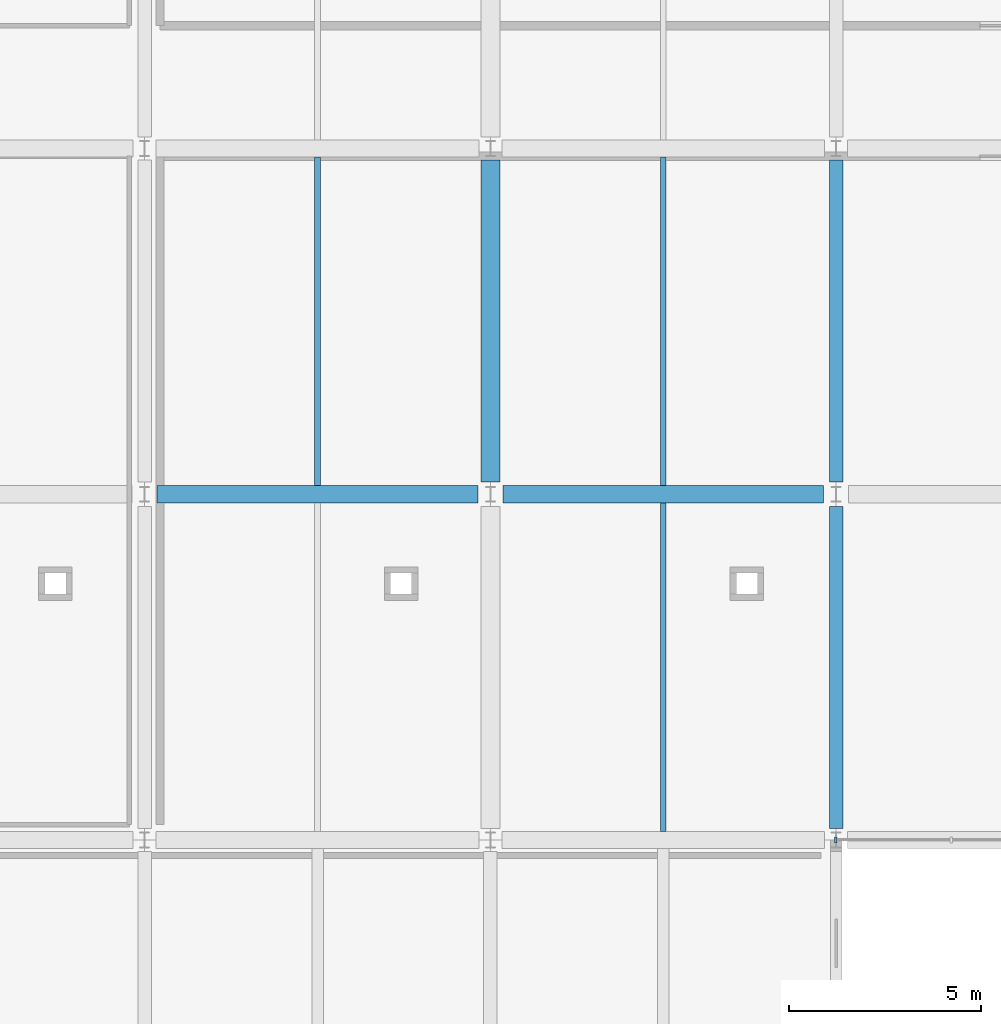
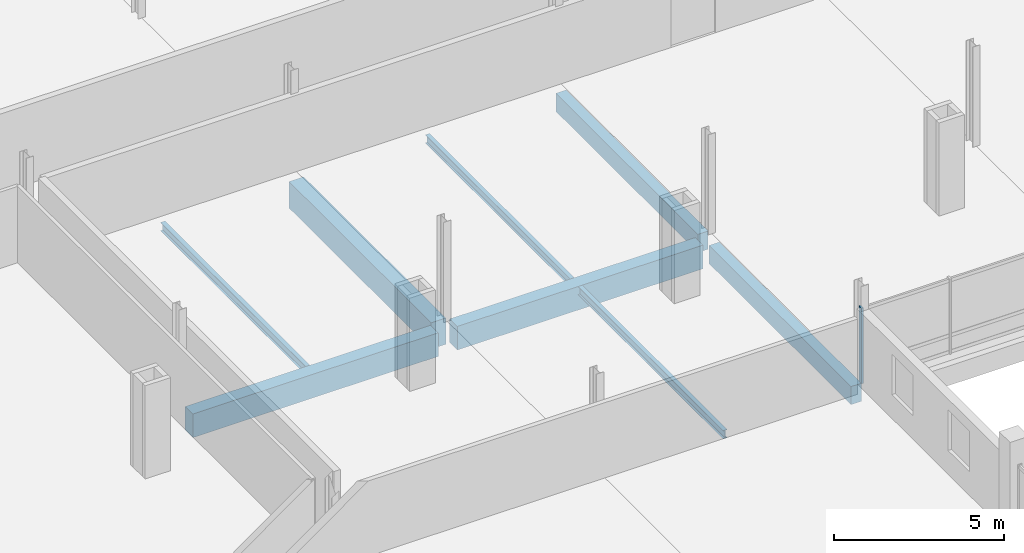
# One storey, part 39 of 132: 8 beams, 1 member, 1 element without a shape of its own.
"""IFC4 building model written with IfcOpenShell, lengths in metres."""

from ifc_helpers import new_model, si_unit, direction, frame, origin, origin_2d, place, context, subcontext, project, spatial, rectangle, i_section, extrude, material, material_profile, profile_set, type_object, element, aggregate, save


model = new_model("IFC4")

# Units and contexts
model_context = context("Model", 3, precision=1e-05, world=origin(), true_north=direction((0.0, 1.0)))
body_context = subcontext(model_context, "Body", "Model", "MODEL_VIEW")
ifc_project = project(units=[si_unit("LENGTHUNIT", "METRE"), si_unit("AREAUNIT", "SQUARE_METRE"), si_unit("VOLUMEUNIT", "CUBIC_METRE"), si_unit("PLANEANGLEUNIT", "RADIAN"), si_unit("MASSUNIT", "GRAM", prefix="KILO")], contexts=[model_context])

# Site, building, storey
site_placement = place(None, origin())
site = spatial("IfcSite", under=ifc_project, at=site_placement, CompositionType="ELEMENT")
building_placement = place(site_placement, origin())
building = spatial("IfcBuilding", under=site, at=building_placement, Name="Tharagai Park Tramway Depot", CompositionType="ELEMENT")
storey_placement = place(building_placement, frame((0.0, 0.0, 4.800048828125)))
storey = spatial("IfcBuildingStorey", under=building, at=storey_placement, Name="L01", CompositionType="ELEMENT", Elevation=4.800048828125)

# Beams
ifc_material_1 = material(Name="Concrete M35", Category="concrete")
ifc_material_profile_1 = material_profile(ifc_material_1, rectangle(XDim=0.449951171875, YDim=0.85009765625, at=origin_2d()), Name="RC 450x850")
ifc_profile_set_1 = profile_set([ifc_material_profile_1], Name="Concrete M35")
beam_type_1 = type_object("IfcBeamType", Name="BM-03", PredefinedType="BEAM", material=ifc_profile_set_1)
for number, where, z_axis, x_axis, name in (
    (1, (45.324951171875, 54.0, -0.705078125), (1.0, 0.0, 0.0), (0.0, 1.0, 0.0), "L01 Grid Beam BM-03"),
    (2, (54.324951171875, 54.0, -0.705078125), (1.0, 0.0, 0.0), (0.0, 1.0, 0.0), "L01 Grid Beam BM-03"),
):
    element("IfcBeam", number, at=place(storey_placement, frame(where, z_axis=z_axis, x_axis=x_axis)), inside=storey, type_object=beam_type_1, Name=name, PredefinedType="BEAM", context=body_context, shape_type="SweptSolid", body=[
        extrude(rectangle(XDim=0.449951171875, YDim=0.85009765625, at=origin_2d()), origin(), (0.0, 0.0, 1.0), 8.35009765625),
    ])
ifc_material_2 = material(Name="Concrete M40", Category="concrete")
ifc_material_profile_2 = material_profile(ifc_material_2, rectangle(XDim=0.5, YDim=0.949951171875, at=origin_2d()), Name="RC 500x950")
ifc_profile_set_2 = profile_set([ifc_material_profile_2], Name="Concrete M40")
beam_type_2 = type_object("IfcBeamType", Name="BM-07", PredefinedType="BEAM", material=ifc_profile_set_2)
beam_1_placement = place(storey_placement, frame((54.0, 54.324951171875, -0.755126953125), z_axis=(0.0, 1.0, 0.0), x_axis=(-1.0, 0.0, 0.0)))
element("IfcBeam", 3, at=beam_1_placement, inside=storey, type_object=beam_type_2, Name="L01 Grid Beam BM-07", PredefinedType="BEAM", context=body_context, shape_type="SweptSolid", body=[
    extrude(rectangle(XDim=0.5, YDim=0.949951171875, at=origin_2d()), origin(), (0.0, 0.0, 1.0), 8.375),
])
ifc_material_profile_3 = material_profile(ifc_material_1, rectangle(XDim=0.35009765625, YDim=0.64990234375, at=origin_2d()), Name="RC 350x650")
ifc_profile_set_3 = profile_set([ifc_material_profile_3], Name="Concrete M35")
beam_type_3 = type_object("IfcBeamType", Name="BM-13", PredefinedType="BEAM", material=ifc_profile_set_3)
for number, where, z_axis, x_axis, name in (
    (4, (63.0, 45.300048828125, -0.60498046875), (0.0, 1.0, 0.0), (-1.0, 0.0, 0.0), "L01 Grid Beam BM-13"),
    (5, (63.0, 54.324951171875, -0.60498046875), (0.0, 1.0, 0.0), (-1.0, 0.0, 0.0), "L01 Grid Beam BM-13"),
):
    element("IfcBeam", number, at=place(storey_placement, frame(where, z_axis=z_axis, x_axis=x_axis)), inside=storey, type_object=beam_type_3, Name=name, PredefinedType="BEAM", context=body_context, shape_type="SweptSolid", body=[
        extrude(rectangle(XDim=0.35009765625, YDim=0.64990234375, at=origin_2d()), origin(), (0.0, 0.0, 1.0), 8.375),
    ])

# Curtain wall, member
ifc_material_3 = material(Name="Anodised aluminium", Category="aluminium")
curtain_wall_type = type_object("IfcCurtainWallType", Name="CW-01", PredefinedType="NOTDEFINED", material=ifc_material_3)
curtain_wall_placement = place(storey_placement, origin())
curtain_wall = element("IfcCurtainWall", 6, at=curtain_wall_placement, inside=storey, type_object=curtain_wall_type, Name="L01 V2 Gothic Mullioned Curtain Wall CW-01", PredefinedType="NOTDEFINED")
ifc_material_profile_4 = material_profile(ifc_material_3, rectangle(XDim=0.06494140625, YDim=0.14990234375, at=origin_2d()), Name="ALU 65x150")
ifc_profile_set_4 = profile_set([ifc_material_profile_4], Name="Anodised aluminium")
member_type = type_object("IfcMemberType", Name="CM-03", PredefinedType="MULLION", material=ifc_profile_set_4)
member_placement = place(storey_placement, frame((62.99609375, 45.0, -0.005126953125), z_axis=(0.0, 0.0, 1.0), x_axis=(1.0, 0.0, 0.0)))
member = element("IfcMember", 7, at=member_placement, type_object=member_type, Name="L01 V2 Gothic Mullioned Curtain Wall Mullion 1", PredefinedType="MULLION", context=body_context, shape_type="SweptSolid", body=[
    extrude(rectangle(XDim=0.06494140625, YDim=0.14990234375, at=origin_2d()), origin(), (0.0, 0.0, 1.0), 2.719970703125),
])
aggregate(curtain_wall, [member])

# Beams
ifc_material_4 = material(Name="Steel E350", Category="steel")
ifc_material_profile_5 = material_profile(ifc_material_4, i_section(OverallWidth=0.139892578125, OverallDepth=0.300048828125, WebThickness=0.0078125, FlangeThickness=0.01318359375, FilletRadius=0.013916015625, at=origin_2d()), Name="ISMB 300")
ifc_profile_set_5 = profile_set([ifc_material_profile_5], Name="Steel E350")
beam_type_4 = type_object("IfcBeamType", Name="JT-03", PredefinedType="JOIST", material=ifc_profile_set_5)
for number, where, z_axis, x_axis, name in (
    (8, (58.5, 45.22509765625, -0.429931640625), (0.0, 1.0, 0.0), (-1.0, 0.0, 0.0), "L01 Secondary Joist JT-03"),
    (9, (58.5, 54.22509765625, -0.429931640625), (0.0, 1.0, 0.0), (-1.0, 0.0, 0.0), "L01 Secondary Joist JT-03"),
):
    element("IfcBeam", number, at=place(storey_placement, frame(where, z_axis=z_axis, x_axis=x_axis)), inside=storey, type_object=beam_type_4, Name=name, PredefinedType="JOIST", context=body_context, shape_type="SweptSolid", body=[
        extrude(i_section(OverallWidth=0.139892578125, OverallDepth=0.300048828125, WebThickness=0.0078125, FlangeThickness=0.01318359375, FilletRadius=0.013916015625, at=origin_2d()), origin(), (0.0, 0.0, 1.0), 8.5498046875),
    ])
ifc_material_profile_6 = material_profile(ifc_material_4, i_section(OverallWidth=0.14990234375, OverallDepth=0.300048828125, WebThickness=0.006591796875, FlangeThickness=0.009521484375, FilletRadius=0.011962890625, at=origin_2d()), Name="ISLB 300")
ifc_profile_set_6 = profile_set([ifc_material_profile_6], Name="Steel E350")
beam_type_5 = type_object("IfcBeamType", Name="JT-07", PredefinedType="JOIST", material=ifc_profile_set_6)
beam_2_placement = place(storey_placement, frame((49.5, 54.22509765625, -0.429931640625), z_axis=(0.0, 1.0, 0.0), x_axis=(-1.0, 0.0, 0.0)))
element("IfcBeam", 10, at=beam_2_placement, inside=storey, type_object=beam_type_5, Name="L01 Secondary Joist JT-07", PredefinedType="JOIST", context=body_context, shape_type="SweptSolid", body=[
    extrude(i_section(OverallWidth=0.14990234375, OverallDepth=0.300048828125, WebThickness=0.006591796875, FlangeThickness=0.009521484375, FilletRadius=0.011962890625, at=origin_2d()), origin(), (0.0, 0.0, 1.0), 8.5498046875),
])

save(model, "model.ifc")
